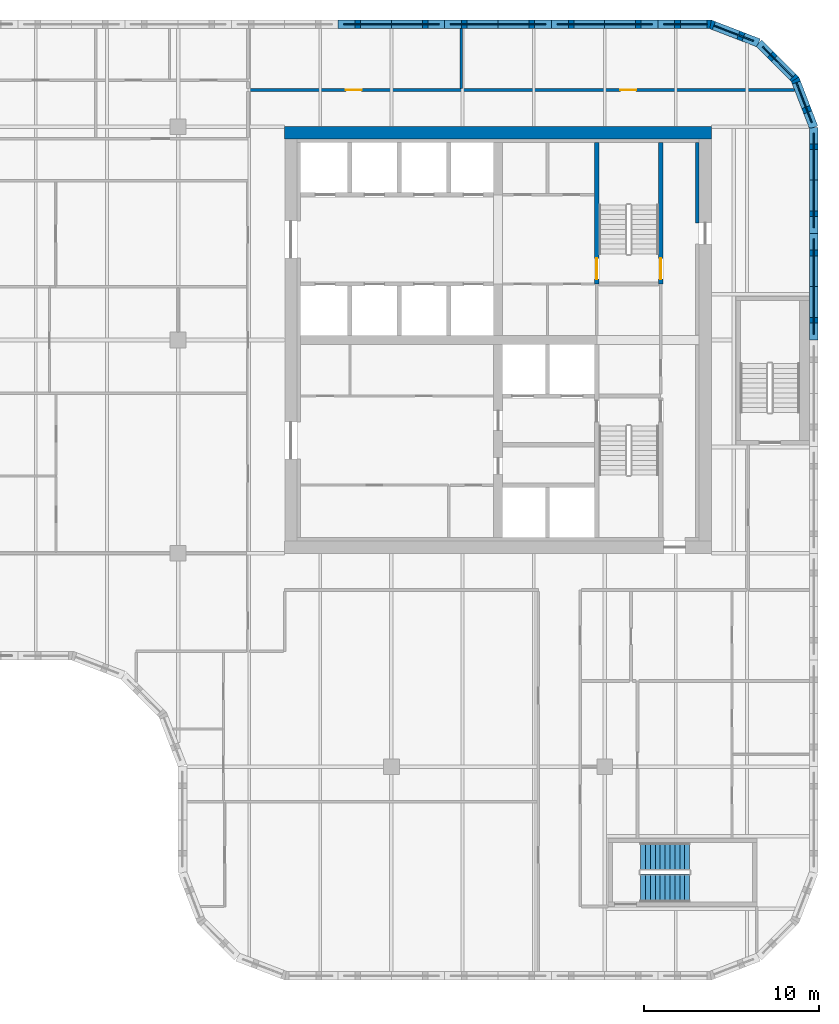
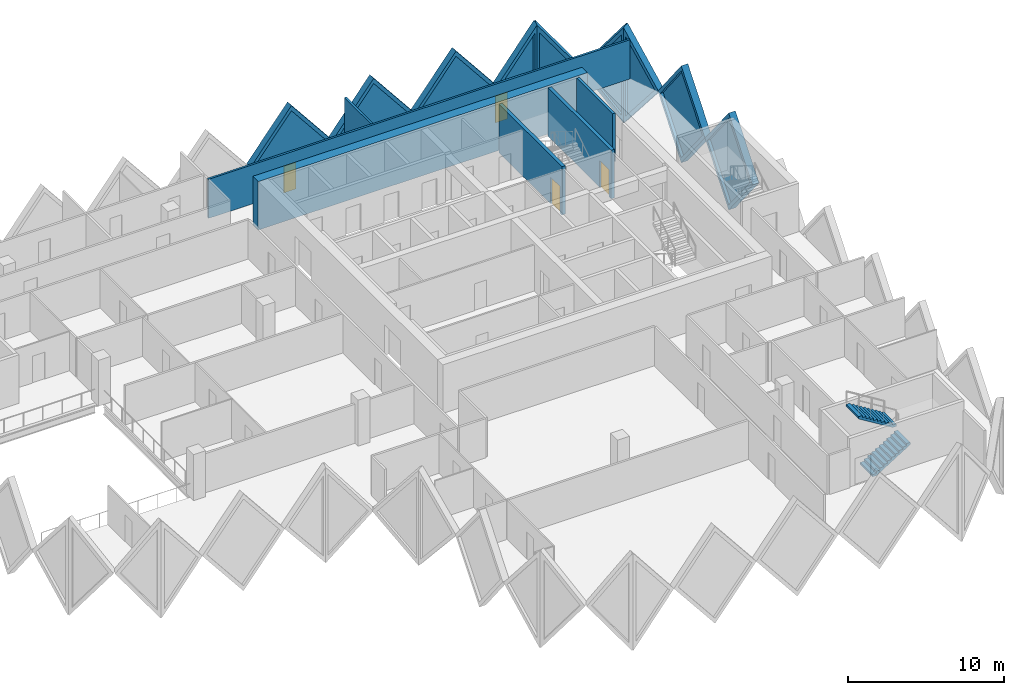
# One storey, part 10 of 12: 15 walls, 9 plates, 4 doors, 2 stair flights, 13 openings, 1 element without a shape of its own.
"""IFC4 building model written with IfcOpenShell, lengths in metres."""

from ifc_helpers import new_model, si_unit, direction, frame, frame_2d, origin, place, context, subcontext, project, spatial, polyline, rectangle, outline, extrude, faceted_brep, source, transform, mapped, material, layer, layer_set, type_object, element, fill, aggregate, save


model = new_model("IFC4")

# Units and contexts
model_context = context("Model", 3, precision=1e-05, world=origin(), true_north=direction((0.0, 1.0)))
body_context = subcontext(model_context, "Body", "Model", "MODEL_VIEW")
ifc_project = project(units=[si_unit("LENGTHUNIT", "METRE"), si_unit("AREAUNIT", "SQUARE_METRE"), si_unit("VOLUMEUNIT", "CUBIC_METRE"), si_unit("PLANEANGLEUNIT", "RADIAN"), si_unit("MASSUNIT", "GRAM", prefix="KILO")], contexts=[model_context])

# Site, building, storey
site_placement = place(None, origin())
site = spatial("IfcSite", under=ifc_project, at=site_placement, CompositionType="ELEMENT")
building_placement = place(site_placement, origin())
building = spatial("IfcBuilding", under=site, at=building_placement, Name="Tessera Gate Towers", CompositionType="ELEMENT")
storey_placement = place(building_placement, frame((0.0, 0.0, 135.39990234375)))
storey = spatial("IfcBuildingStorey", under=building, at=storey_placement, Name="L33", CompositionType="ELEMENT", Elevation=135.39990234375)

# Wall, opening, door
ifc_material_1 = material(Name="Concrete C40/50", Category="concrete")
ifc_layer_1 = layer(ifc_material_1, 0.25)
ifc_layer_set_1 = layer_set([ifc_layer_1], Name="CORE ENCLOSURE WALL 250")
wall_type_1 = type_object("IfcWallType", Name="CORE ENCLOSURE WALL 250", PredefinedType="SOLIDWALL", material=ifc_layer_set_1)
wall_1_placement = place(storey_placement, frame((48.35009765625, 47.89990234375, 0.0), z_axis=(0.0, 0.0, 1.0), x_axis=(0.0, -1.0, 0.0)))
wall_1 = element("IfcWall", 1, at=wall_1_placement, inside=storey, type_object=wall_type_1, Name="L33 shaft and stair enclosure wall", PredefinedType="SOLIDWALL", context=body_context, shape_type="SweptSolid", body=[
    extrude(rectangle(XDim=8.099853515625, YDim=0.25, at=frame_2d((4.0498046875, 0.0))), origin(), (0.0, 0.0, 1.0), 3.800048828125),
])
shared_shape_1 = source(origin(), body_context, "Body", "SweptSolid", [
    extrude(rectangle(XDim=1.199951171875, YDim=2.10009765625, at=frame_2d((0.60009765625, 1.050048828125))), frame((0.0, 0.135009765625, 0.0), z_axis=(0.0, -1.0, 0.0), x_axis=(1.0, 0.0, 0.0)), (0.0, 0.0, 1.0), 0.27001953125),
])
opening_1_placement = place(wall_1_placement, frame((6.625, 0.0, 0.0)))
opening_1 = element("IfcOpeningElement", 2, at=opening_1_placement, cuts=wall_1, Name="Opening SD-ST2-1", PredefinedType="OPENING", context=body_context, shape_type="MappedRepresentation", body=[
    mapped(shared_shape_1, transform((0.0, 0.0, 0.0), scale=1.0)),
])
ifc_material_2 = material(Name="Hollow steel fire door", Category="steel")
door_type_1 = type_object("IfcDoorType", Name="CORE DOOR SD 1200x2100", OperationType="NOTDEFINED", PredefinedType="DOOR", material=ifc_material_2)
shared_shape_2 = source(origin(), body_context, "Body", "SweptSolid", [
    extrude(rectangle(XDim=1.199951171875, YDim=2.10009765625, at=frame_2d((0.60009765625, 1.050048828125))), frame((0.0, 0.02490234375, 0.0), z_axis=(0.0, -1.0, 0.0), x_axis=(1.0, 0.0, 0.0)), (0.0, 0.0, 1.0), 0.050048828125),
])
door_1_placement = place(opening_1_placement, origin())
door_1 = element("IfcDoor", 3, at=door_1_placement, inside=storey, type_object=door_type_1, Name="Stair door", OperationType="SINGLE_SWING_RIGHT", OverallHeight=2.10009765625, OverallWidth=1.199951171875, PredefinedType="DOOR", context=body_context, shape_type="MappedRepresentation", body=[
    mapped(shared_shape_2, transform((0.0, 0.0, 0.0), scale=1.0)),
])
fill(opening_1, door_1)

wall_2_placement = place(storey_placement, frame((52.0, 39.800048828125, 0.0), z_axis=(0.0, 0.0, 1.0), x_axis=(0.0, 1.0, 0.0)))
wall_2 = element("IfcWall", 4, at=wall_2_placement, inside=storey, type_object=wall_type_1, Name="L33 shaft and stair enclosure wall", PredefinedType="SOLIDWALL", context=body_context, shape_type="SweptSolid", body=[
    extrude(rectangle(XDim=8.099853515625, YDim=0.25, at=frame_2d((4.0498046875, 0.0))), origin(), (0.0, 0.0, 1.0), 3.800048828125),
])
opening_2_placement = place(wall_2_placement, frame((0.27490234375, 0.0, 0.0)))
opening_2 = element("IfcOpeningElement", 5, at=opening_2_placement, cuts=wall_2, Name="Opening SD-ST2-2", PredefinedType="OPENING", context=body_context, shape_type="MappedRepresentation", body=[
    mapped(shared_shape_1, transform((0.0, 0.0, 0.0), scale=1.0)),
])
door_2_placement = place(opening_2_placement, origin())
door_2 = element("IfcDoor", 6, at=door_2_placement, inside=storey, type_object=door_type_1, Name="Stair door", OperationType="SINGLE_SWING_LEFT", OverallHeight=2.10009765625, OverallWidth=1.199951171875, PredefinedType="DOOR", context=body_context, shape_type="MappedRepresentation", body=[
    mapped(shared_shape_2, transform((0.0, 0.0, 0.0), scale=1.0)),
])
fill(opening_2, door_2)

# Walls
ifc_material_3 = material(Name="Concrete C60/75", Category="concrete")
ifc_layer_2 = layer(ifc_material_3, 0.699951171875)
ifc_layer_set_2 = layer_set([ifc_layer_2], Name="CORE SHEAR WALL 700 C60/75")
wall_type_2 = type_object("IfcWallType", Name="CORE SHEAR WALL 700 C60/75", PredefinedType="SHEAR", material=ifc_layer_set_2)
wall_3_placement = place(storey_placement, frame((30.5, 48.449951171875, 0.0), z_axis=(0.0, 0.0, 1.0), x_axis=(1.0, 0.0, 0.0)))
element("IfcWall", 7, at=wall_3_placement, inside=storey, type_object=wall_type_2, Name="Core wall N L33", PredefinedType="SHEAR", context=body_context, shape_type="SweptSolid", body=[
    extrude(rectangle(XDim=24.39990234375, YDim=0.699951171875, at=frame_2d((12.199951171875, 0.0))), origin(), (0.0, 0.0, 1.0), 3.800048828125),
])
ifc_material_4 = material(Name="Concrete C60/75", Category="concrete")
ifc_layer_3 = layer(ifc_material_4, 0.199951171875)
ifc_layer_set_3 = layer_set([ifc_layer_3], Name="CORE WALL THICKENING 200")
wall_type_3 = type_object("IfcWallType", Name="CORE WALL THICKENING 200", PredefinedType="SOLIDWALL", material=ifc_layer_set_3)
wall_4_placement = place(storey_placement, frame((54.10009765625, 43.300048828125, 0.0), z_axis=(0.0, 0.0, 1.0), x_axis=(0.0, 1.0, 0.0)))
element("IfcWall", 8, at=wall_4_placement, inside=storey, type_object=wall_type_3, Name="Core wall thickening E L33", PredefinedType="SOLIDWALL", context=body_context, shape_type="SweptSolid", body=[
    extrude(rectangle(XDim=4.599853515625, YDim=0.199951171875, at=frame_2d((2.2998046875, 0.0))), origin(), (0.0, 0.0, 1.0), 3.800048828125),
])

# Wall, openings, doors
ifc_material_5 = material(Name="Gypsum board on steel studs, mineral wool", Category="steel")
ifc_layer_4 = layer(ifc_material_5, 0.14990234375)
ifc_layer_set_4 = layer_set([ifc_layer_4], Name="CORRIDOR WALL 150")
wall_type_4 = type_object("IfcWallType", Name="CORRIDOR WALL 150", PredefinedType="PARTITIONING", material=ifc_layer_set_4)
wall_5_placement = place(storey_placement, frame((28.39990234375, 50.89990234375, 0.0), z_axis=(0.0, 0.0, 1.0), x_axis=(1.0, 0.0, 0.0)))
wall_5 = element("IfcWall", 9, at=wall_5_placement, inside=storey, type_object=wall_type_4, Name="T1-L33-PW-050", PredefinedType="PARTITIONING", context=body_context, shape_type="SweptSolid", body=[
    extrude(rectangle(XDim=31.254150390625, YDim=0.14990234375, at=frame_2d((15.626953125, 0.0))), origin(), (0.0, 0.0, 1.0), 3.067138671875),
])
shared_shape_3 = source(origin(), body_context, "Body", "SweptSolid", [
    extrude(rectangle(XDim=0.89990234375, YDim=2.10009765625, at=frame_2d((0.449951171875, 1.050048828125))), frame((0.0, 0.0849609375, 0.0), z_axis=(0.0, -1.0, 0.0), x_axis=(1.0, 0.0, 0.0)), (0.0, 0.0, 1.0), 0.169921875),
])
opening_3_placement = place(wall_5_placement, frame((5.60009765625, 0.0, 0.0)))
opening_3 = element("IfcOpeningElement", 10, at=opening_3_placement, cuts=wall_5, Name="Opening D890FD60-A12-09", PredefinedType="OPENING", context=body_context, shape_type="MappedRepresentation", body=[
    mapped(shared_shape_3, transform((0.0, 0.0, 0.0), scale=1.0)),
])
opening_4_placement = place(wall_5_placement, frame((21.300048828125, 0.0, 0.0)))
opening_4 = element("IfcOpeningElement", 11, at=opening_4_placement, cuts=wall_5, Name="Opening D890FD60-A12-10", PredefinedType="OPENING", context=body_context, shape_type="MappedRepresentation", body=[
    mapped(shared_shape_3, transform((0.0, 0.0, 0.0), scale=1.0)),
])
ifc_material_6 = material(Name="Timber door leaf in steel frame", Category="steel")
door_type_2 = type_object("IfcDoorType", Name="CORRIDOR DOOR 900 FD60", OperationType="NOTDEFINED", PredefinedType="DOOR", material=ifc_material_6)
shared_shape_4 = source(origin(), body_context, "Body", "SweptSolid", [
    extrude(rectangle(XDim=0.89990234375, YDim=2.10009765625, at=frame_2d((0.449951171875, 1.050048828125))), frame((0.0, 0.02490234375, 0.0), z_axis=(0.0, -1.0, 0.0), x_axis=(1.0, 0.0, 0.0)), (0.0, 0.0, 1.0), 0.050048828125),
])
door_3_placement = place(opening_3_placement, origin())
door_3 = element("IfcDoor", 12, at=door_3_placement, inside=storey, type_object=door_type_2, Name="T1-L33-PD-029", OperationType="SINGLE_SWING_LEFT", OverallHeight=2.10009765625, OverallWidth=0.89990234375, PredefinedType="DOOR", context=body_context, shape_type="MappedRepresentation", body=[
    mapped(shared_shape_4, transform((0.0, 0.0, 0.0), scale=1.0)),
])
fill(opening_3, door_3)
door_4_placement = place(opening_4_placement, origin())
door_4 = element("IfcDoor", 13, at=door_4_placement, inside=storey, type_object=door_type_2, Name="T1-L33-PD-032", OperationType="SINGLE_SWING_LEFT", OverallHeight=2.10009765625, OverallWidth=0.89990234375, PredefinedType="DOOR", context=body_context, shape_type="MappedRepresentation", body=[
    mapped(shared_shape_4, transform((0.0, 0.0, 0.0), scale=1.0)),
])
fill(opening_4, door_4)

# Wall
ifc_material_7 = material(Name="Gypsum board on steel studs, mineral wool", Category="steel")
ifc_layer_5 = layer(ifc_material_7, 0.14990234375)
ifc_layer_set_5 = layer_set([ifc_layer_5], Name="TENANCY WALL 150")
wall_type_5 = type_object("IfcWallType", Name="TENANCY WALL 150", PredefinedType="PARTITIONING", material=ifc_layer_set_5)
wall_6_placement = place(storey_placement, frame((40.60009765625, 50.97607421875, 0.0), z_axis=(0.0, 0.0, 1.0), x_axis=(0.0, 1.0, 0.0)))
element("IfcWall", 14, at=wall_6_placement, inside=storey, type_object=wall_type_5, Name="T1-L33-PW-052", PredefinedType="PARTITIONING", context=body_context, shape_type="SweptSolid", body=[
    extrude(rectangle(XDim=3.423828125, YDim=0.14990234375, at=frame_2d((1.7119140625, 0.0))), origin(), (0.0, 0.0, 1.0), 3.067138671875),
])

# Wall, opening, plate
ifc_material_8 = material(Name="Precast concrete C60/75 white", Category="concrete")
ifc_layer_6 = layer(ifc_material_8, 0.5)
ifc_layer_set_6 = layer_set([ifc_layer_6], Name="TS3 corner tessera")
wall_type_6 = type_object("IfcWallType", Name="TS3 corner tessera", PredefinedType="SOLIDWALL", material=ifc_layer_set_6)
shared_shape_5 = source(origin(), body_context, "Body", "Brep", [
    faceted_brep([(0.046630859375, -0.25, 0.0), (3.050048828125, -0.25, 3.7998046875), (0.046630859375, -0.25, 7.599853515625), (0.0, -0.25, 7.539794921875), (0.0, -0.25, 0.06005859375), (0.09326171875, 0.25, 7.541015625), (3.050048828125, 0.25, 3.7998046875), (0.09326171875, 0.25, 0.058837890625), (0.046630859375, 0.0, 0.0), (0.046630859375, 0.0, 7.599853515625)], [[[0, 1, 2, 3, 4]], [[5, 6, 7]], [[7, 6, 1, 0, 8]], [[6, 5, 9, 2, 1]], [[3, 2, 9]], [[8, 0, 4]], [[7, 8, 4, 3, 9, 5]]]),
])
wall_7_placement = place(storey_placement, frame((54.900146484375, 54.64990234375, -3.7998046875), z_axis=(0.0, 0.0, 1.0), x_axis=(-1.0, 0.0, 0.0)))
wall_7 = element("IfcWall", 15, at=wall_7_placement, inside=storey, type_object=wall_type_6, Name="Precast corner tessera T1 TS3-0754", PredefinedType="SOLIDWALL", context=body_context, shape_type="MappedRepresentation", body=[
    mapped(shared_shape_5, transform((0.0, 0.0, 0.0), scale=1.0)),
])
shared_shape_6 = source(origin(), body_context, "Body", "SweptSolid", [
    extrude(outline(polyline([(0.24658203125, 0.656005859375), (2.7314453125, 3.7998046875), (0.24658203125, 6.943603515625), (0.24658203125, 0.656005859375)])), frame((0.0, 0.260009765625, 0.0), z_axis=(0.0, -1.0, 0.0), x_axis=(1.0, 0.0, 0.0)), (0.0, 0.0, 1.0), 0.52001953125),
])
opening_5_placement = place(wall_7_placement, origin())
opening_5 = element("IfcOpeningElement", 16, at=opening_5_placement, cuts=wall_7, Name="Opening T1-PL2-1147", PredefinedType="OPENING", context=body_context, shape_type="MappedRepresentation", body=[
    mapped(shared_shape_6, transform((0.0, 0.0, 0.0), scale=1.0)),
])
ifc_material_9 = material(Name="Low-e laminated glass", Category="glass")
ifc_layer_7 = layer(ifc_material_9, 0.06005859375)
ifc_layer_set_7 = layer_set([ifc_layer_7], Name="PL2 rhombic pane")
plate_type = type_object("IfcPlateType", Name="PL2 rhombic pane", PredefinedType="SHEET", material=ifc_layer_set_7)
shared_shape_7 = source(origin(), body_context, "Body", "SweptSolid", [
    extrude(outline(polyline([(0.24658203125, 0.656005859375), (2.7314453125, 3.7998046875), (0.24658203125, 6.943603515625), (0.24658203125, 0.656005859375)])), frame((0.0, 0.030029296875, 0.0), z_axis=(0.0, -1.0, 0.0), x_axis=(1.0, 0.0, 0.0)), (0.0, 0.0, 1.0), 0.06005859375),
])
plate_1_placement = place(opening_5_placement, origin())
plate_1 = element("IfcPlate", 17, at=plate_1_placement, inside=storey, type_object=plate_type, Name="Glass pane T1 PL2-1147", PredefinedType="SHEET", context=body_context, shape_type="MappedRepresentation", body=[
    mapped(shared_shape_7, transform((0.0, 0.0, 0.0), scale=1.0)),
])
fill(opening_5, plate_1)

ifc_material_10 = material(Name="Precast concrete C60/75 white", Category="concrete")
ifc_layer_8 = layer(ifc_material_10, 0.5)
ifc_layer_set_8 = layer_set([ifc_layer_8], Name="TS1 tessera")
wall_type_7 = type_object("IfcWallType", Name="TS1 tessera", PredefinedType="SOLIDWALL", material=ifc_layer_set_8)
shared_shape_8 = source(origin(), body_context, "Body", "Brep", [
    faceted_brep([(3.050048828125, -0.25, 0.0), (6.099853515625, -0.25, 3.799560546875), (6.099853515625, -0.25, 3.800048828125), (3.050048828125, -0.25, 7.599853515625), (0.0, -0.25, 3.7998046875), (0.0, 0.25, 3.7998046875), (3.050048828125, 0.25, 7.599853515625), (6.099853515625, 0.25, 3.800048828125), (6.099853515625, 0.25, 3.799560546875), (3.050048828125, 0.25, 0.0)], [[[0, 1, 2, 3, 4]], [[5, 6, 7, 8, 9]], [[9, 8, 1, 0]], [[7, 6, 3, 2]], [[6, 5, 4, 3]], [[5, 9, 0, 4]], [[1, 8, 7, 2]]]),
])
wall_8_placement = place(storey_placement, frame((60.75, 36.60009765625, -3.7998046875), z_axis=(0.0, 0.0, 1.0), x_axis=(0.0, 1.0, 0.0)))
wall_8 = element("IfcWall", 18, at=wall_8_placement, inside=storey, type_object=wall_type_7, Name="Precast tessera T1 TS1-0560", PredefinedType="SOLIDWALL", context=body_context, shape_type="MappedRepresentation", body=[
    mapped(shared_shape_8, transform((0.0, 0.0, 0.0), scale=1.0)),
])
shared_shape_9 = source(origin(), body_context, "Body", "SweptSolid", [
    extrude(outline(polyline([(3.050048828125, 0.3994140625), (5.779541015625, 3.7998046875), (3.050048828125, 7.200439453125), (0.320556640625, 3.7998046875), (3.050048828125, 0.3994140625)])), frame((0.0, 0.260009765625, 0.0), z_axis=(0.0, -1.0, 0.0), x_axis=(1.0, 0.0, 0.0)), (0.0, 0.0, 1.0), 0.52001953125),
])
opening_6_placement = place(wall_8_placement, origin())
opening_6 = element("IfcOpeningElement", 19, at=opening_6_placement, cuts=wall_8, Name="Opening T1-PL2-1142", PredefinedType="OPENING", context=body_context, shape_type="MappedRepresentation", body=[
    mapped(shared_shape_9, transform((0.0, 0.0, 0.0), scale=1.0)),
])
shared_shape_10 = source(origin(), body_context, "Body", "SweptSolid", [
    extrude(outline(polyline([(3.050048828125, 0.3994140625), (5.779541015625, 3.7998046875), (3.050048828125, 7.200439453125), (0.320556640625, 3.7998046875), (3.050048828125, 0.3994140625)])), frame((0.0, 0.030029296875, 0.0), z_axis=(0.0, -1.0, 0.0), x_axis=(1.0, 0.0, 0.0)), (0.0, 0.0, 1.0), 0.06005859375),
])
plate_2_placement = place(opening_6_placement, origin())
plate_2 = element("IfcPlate", 20, at=plate_2_placement, inside=storey, type_object=plate_type, Name="Glass pane T1 PL2-1142", PredefinedType="SHEET", context=body_context, shape_type="MappedRepresentation", body=[
    mapped(shared_shape_10, transform((0.0, 0.0, 0.0), scale=1.0)),
])
fill(opening_6, plate_2)

wall_9_placement = place(storey_placement, frame((39.64990234375, 54.64990234375, -3.7998046875), z_axis=(0.0, 0.0, 1.0), x_axis=(-1.0, 0.0, 0.0)))
wall_9 = element("IfcWall", 21, at=wall_9_placement, inside=storey, type_object=wall_type_7, Name="Precast tessera T1 TS1-0564", PredefinedType="SOLIDWALL", context=body_context, shape_type="MappedRepresentation", body=[
    mapped(shared_shape_8, transform((0.0, 0.0, 0.0), scale=1.0)),
])
opening_7_placement = place(wall_9_placement, origin())
opening_7 = element("IfcOpeningElement", 22, at=opening_7_placement, cuts=wall_9, Name="Opening T1-PL2-1150", PredefinedType="OPENING", context=body_context, shape_type="MappedRepresentation", body=[
    mapped(shared_shape_9, transform((0.0, 0.0, 0.0), scale=1.0)),
])
plate_3_placement = place(opening_7_placement, origin())
plate_3 = element("IfcPlate", 23, at=plate_3_placement, inside=storey, type_object=plate_type, Name="Glass pane T1 PL2-1150", PredefinedType="SHEET", context=body_context, shape_type="MappedRepresentation", body=[
    mapped(shared_shape_10, transform((0.0, 0.0, 0.0), scale=1.0)),
])
fill(opening_7, plate_3)

shared_shape_11 = source(origin(), body_context, "Body", "SweptSolid", [
    extrude(outline(polyline([(3.050048828125, 0.0), (6.10009765625, 3.7998046875), (3.050048828125, 7.599853515625), (0.0, 3.7998046875), (3.050048828125, 0.0)])), frame((0.0, 0.25, 0.0), z_axis=(0.0, -1.0, 0.0), x_axis=(1.0, 0.0, 0.0)), (0.0, 0.0, 1.0), 0.5),
])
wall_10_placement = place(storey_placement, frame((51.85009765625, 54.64990234375, -3.7998046875), z_axis=(0.0, 0.0, 1.0), x_axis=(-1.0, 0.0, 0.0)))
wall_10 = element("IfcWall", 24, at=wall_10_placement, inside=storey, type_object=wall_type_7, Name="Precast tessera T1 TS1-0562", PredefinedType="SOLIDWALL", context=body_context, shape_type="MappedRepresentation", body=[
    mapped(shared_shape_11, transform((0.0, 0.0, 0.0), scale=1.0)),
])
opening_8_placement = place(wall_10_placement, origin())
opening_8 = element("IfcOpeningElement", 25, at=opening_8_placement, cuts=wall_10, Name="Opening T1-PL2-1148", PredefinedType="OPENING", context=body_context, shape_type="MappedRepresentation", body=[
    mapped(shared_shape_9, transform((0.0, 0.0, 0.0), scale=1.0)),
])
plate_4_placement = place(opening_8_placement, origin())
plate_4 = element("IfcPlate", 26, at=plate_4_placement, inside=storey, type_object=plate_type, Name="Glass pane T1 PL2-1148", PredefinedType="SHEET", context=body_context, shape_type="MappedRepresentation", body=[
    mapped(shared_shape_10, transform((0.0, 0.0, 0.0), scale=1.0)),
])
fill(opening_8, plate_4)

wall_11_placement = place(storey_placement, frame((45.75, 54.64990234375, -3.7998046875), z_axis=(0.0, 0.0, 1.0), x_axis=(-1.0, 0.0, 0.0)))
wall_11 = element("IfcWall", 27, at=wall_11_placement, inside=storey, type_object=wall_type_7, Name="Precast tessera T1 TS1-0563", PredefinedType="SOLIDWALL", context=body_context, shape_type="MappedRepresentation", body=[
    mapped(shared_shape_11, transform((0.0, 0.0, 0.0), scale=1.0)),
])
opening_9_placement = place(wall_11_placement, origin())
opening_9 = element("IfcOpeningElement", 28, at=opening_9_placement, cuts=wall_11, Name="Opening T1-PL2-1149", PredefinedType="OPENING", context=body_context, shape_type="MappedRepresentation", body=[
    mapped(shared_shape_9, transform((0.0, 0.0, 0.0), scale=1.0)),
])
plate_5_placement = place(opening_9_placement, origin())
plate_5 = element("IfcPlate", 29, at=plate_5_placement, inside=storey, type_object=plate_type, Name="Glass pane T1 PL2-1149", PredefinedType="SHEET", context=body_context, shape_type="MappedRepresentation", body=[
    mapped(shared_shape_10, transform((0.0, 0.0, 0.0), scale=1.0)),
])
fill(opening_9, plate_5)

shared_shape_12 = source(origin(), body_context, "Body", "Brep", [
    faceted_brep([(3.050048828125, -0.25, 0.0), (6.053466796875, -0.25, 3.7998046875), (3.050048828125, -0.25, 7.599853515625), (0.0, -0.25, 3.7998046875), (0.0, 0.25, 3.7998046875), (3.050048828125, 0.25, 7.599853515625), (6.0068359375, 0.25, 3.858642578125), (6.0068359375, 0.25, 3.740966796875), (3.050048828125, 0.25, 0.0), (6.053466796875, 0.0, 3.7998046875)], [[[0, 1, 2, 3]], [[4, 5, 6, 7, 8]], [[8, 7, 9, 1, 0]], [[6, 5, 2, 1, 9]], [[5, 4, 3, 2]], [[4, 8, 0, 3]], [[9, 7, 6]]]),
])
wall_12_placement = place(storey_placement, frame((60.75, 42.699951171875, -3.7998046875), z_axis=(0.0, 0.0, 1.0), x_axis=(0.0, 1.0, 0.0)))
wall_12 = element("IfcWall", 30, at=wall_12_placement, inside=storey, type_object=wall_type_7, Name="Precast tessera T1 TS1-0561", PredefinedType="SOLIDWALL", context=body_context, shape_type="MappedRepresentation", body=[
    mapped(shared_shape_12, transform((0.0, 0.0, 0.0), scale=1.0)),
])
shared_shape_13 = source(origin(), body_context, "Body", "SweptSolid", [
    extrude(outline(polyline([(3.048583984375, 0.401123046875), (5.73486328125, 3.7998046875), (3.048583984375, 7.19873046875), (0.320556640625, 3.7998046875), (3.048583984375, 0.401123046875)])), frame((0.0, 0.260009765625, 0.0), z_axis=(0.0, -1.0, 0.0), x_axis=(1.0, 0.0, 0.0)), (0.0, 0.0, 1.0), 0.52001953125),
])
opening_10_placement = place(wall_12_placement, origin())
opening_10 = element("IfcOpeningElement", 31, at=opening_10_placement, cuts=wall_12, Name="Opening T1-PL2-1143", PredefinedType="OPENING", context=body_context, shape_type="MappedRepresentation", body=[
    mapped(shared_shape_13, transform((0.0, 0.0, 0.0), scale=1.0)),
])
shared_shape_14 = source(origin(), body_context, "Body", "SweptSolid", [
    extrude(outline(polyline([(3.048583984375, 0.401123046875), (5.73486328125, 3.7998046875), (3.048583984375, 7.19873046875), (0.320556640625, 3.7998046875), (3.048583984375, 0.401123046875)])), frame((0.0, 0.030029296875, 0.0), z_axis=(0.0, -1.0, 0.0), x_axis=(1.0, 0.0, 0.0)), (0.0, 0.0, 1.0), 0.06005859375),
])
plate_6_placement = place(opening_10_placement, origin())
plate_6 = element("IfcPlate", 32, at=plate_6_placement, inside=storey, type_object=plate_type, Name="Glass pane T1 PL2-1143", PredefinedType="SHEET", context=body_context, shape_type="MappedRepresentation", body=[
    mapped(shared_shape_14, transform((0.0, 0.0, 0.0), scale=1.0)),
])
fill(opening_10, plate_6)

shared_shape_15 = source(origin(), body_context, "Body", "Brep", [
    faceted_brep([(2.950439453125, -0.25, 0.0), (3.00341796875, -0.25, 0.068359375), (3.00341796875, -0.25, 7.531494140625), (2.950439453125, -0.25, 7.599853515625), (0.0, -0.25, 3.7998046875), (0.046630859375, 0.25, 3.85986328125), (2.897705078125, 0.25, 7.53173828125), (2.897705078125, 0.25, 0.068115234375), (0.046630859375, 0.25, 3.73974609375), (2.950439453125, 0.00048828125, 0.0), (2.950439453125, 0.00048828125, 7.599853515625), (0.0, 0.0, 3.7998046875)], [[[0, 1, 2, 3, 4]], [[5, 6, 7, 8]], [[1, 0, 9]], [[10, 3, 2]], [[6, 5, 11, 4, 3, 10]], [[8, 7, 9, 0, 4, 11]], [[8, 11, 5]], [[1, 9, 7, 6, 10, 2]]]),
])
wall_13_placement = place(storey_placement, frame((60.75, 48.75341796875, -3.7998046875), z_axis=(0.0, 0.0, 1.0), x_axis=(-0.35992665181, 0.932980602862, 0.0)))
wall_13 = element("IfcWall", 33, at=wall_13_placement, inside=storey, type_object=wall_type_6, Name="Precast corner tessera T1 TS3-0751", PredefinedType="SOLIDWALL", context=body_context, shape_type="MappedRepresentation", body=[
    mapped(shared_shape_15, transform((0.0, 0.0, 0.0), scale=1.0)),
])
shared_shape_16 = source(origin(), body_context, "Body", "SweptSolid", [
    extrude(outline(polyline([(2.75048828125, 6.9345703125), (0.31640625, 3.7998046875), (2.75048828125, 0.6650390625), (2.75048828125, 6.9345703125)])), frame((0.0, 0.260009765625, 0.0), z_axis=(0.0, -1.0, 0.0), x_axis=(1.0, 0.0, 0.0)), (0.0, 0.0, 1.0), 0.52001953125),
])
opening_11_placement = place(wall_13_placement, origin())
opening_11 = element("IfcOpeningElement", 34, at=opening_11_placement, cuts=wall_13, Name="Opening T1-PL2-1144", PredefinedType="OPENING", context=body_context, shape_type="MappedRepresentation", body=[
    mapped(shared_shape_16, transform((0.0, 0.0, 0.0), scale=1.0)),
])
shared_shape_17 = source(origin(), body_context, "Body", "SweptSolid", [
    extrude(outline(polyline([(2.75048828125, 6.9345703125), (0.31640625, 3.7998046875), (2.75048828125, 0.6650390625), (2.75048828125, 6.9345703125)])), frame((0.0, 0.030029296875, 0.0), z_axis=(0.0, -1.0, 0.0), x_axis=(1.0, 0.0, 0.0)), (0.0, 0.0, 1.0), 0.06005859375),
])
plate_7_placement = place(opening_11_placement, origin())
plate_7 = element("IfcPlate", 35, at=plate_7_placement, inside=storey, type_object=plate_type, Name="Glass pane T1 PL2-1144", PredefinedType="SHEET", context=body_context, shape_type="MappedRepresentation", body=[
    mapped(shared_shape_17, transform((0.0, 0.0, 0.0), scale=1.0)),
])
fill(opening_11, plate_7)

shared_shape_18 = source(origin(), body_context, "Body", "Brep", [
    faceted_brep([(0.052978515625, -0.25, 0.0), (2.9970703125, -0.25, 3.7998046875), (0.052978515625, -0.25, 7.599853515625), (0.0, -0.25, 7.53173828125), (0.0, -0.25, 0.068115234375), (0.10595703125, 0.25, 7.531494140625), (2.944091796875, 0.25, 3.867919921875), (2.944091796875, 0.25, 3.731689453125), (0.10595703125, 0.25, 0.068359375), (2.9970703125, 0.000244140625, 3.7998046875), (0.052978515625, 0.0, 0.0), (0.052978515625, 0.0, 7.599853515625)], [[[0, 1, 2, 3, 4]], [[5, 6, 7, 8]], [[8, 7, 9, 1, 0, 10]], [[6, 5, 11, 2, 1, 9]], [[3, 2, 11]], [[10, 0, 4]], [[8, 10, 4, 3, 11, 5]], [[9, 7, 6]]]),
])
wall_14_placement = place(storey_placement, frame((59.7255859375, 51.46875, -3.7998046875), z_axis=(0.0, 0.0, 1.0), x_axis=(-0.707106781187, 0.707106781187, 0.0)))
wall_14 = element("IfcWall", 36, at=wall_14_placement, inside=storey, type_object=wall_type_6, Name="Precast corner tessera T1 TS3-0752", PredefinedType="SOLIDWALL", context=body_context, shape_type="MappedRepresentation", body=[
    mapped(shared_shape_18, transform((0.0, 0.0, 0.0), scale=1.0)),
])
shared_shape_19 = source(origin(), body_context, "Body", "SweptSolid", [
    extrude(outline(polyline([(0.2529296875, 0.666259765625), (2.680908203125, 3.7998046875), (0.2529296875, 6.93359375), (0.2529296875, 0.666259765625)])), frame((0.0, 0.260009765625, 0.0), z_axis=(0.0, -1.0, 0.0), x_axis=(1.0, 0.0, 0.0)), (0.0, 0.0, 1.0), 0.52001953125),
])
opening_12_placement = place(wall_14_placement, origin())
opening_12 = element("IfcOpeningElement", 37, at=opening_12_placement, cuts=wall_14, Name="Opening T1-PL2-1145", PredefinedType="OPENING", context=body_context, shape_type="MappedRepresentation", body=[
    mapped(shared_shape_19, transform((0.0, 0.0, 0.0), scale=1.0)),
])
shared_shape_20 = source(origin(), body_context, "Body", "SweptSolid", [
    extrude(outline(polyline([(0.2529296875, 0.666259765625), (2.680908203125, 3.7998046875), (0.2529296875, 6.93359375), (0.2529296875, 0.666259765625)])), frame((0.0, 0.030029296875, 0.0), z_axis=(0.0, -1.0, 0.0), x_axis=(1.0, 0.0, 0.0)), (0.0, 0.0, 1.0), 0.06005859375),
])
plate_8_placement = place(opening_12_placement, origin())
plate_8 = element("IfcPlate", 38, at=plate_8_placement, inside=storey, type_object=plate_type, Name="Glass pane T1 PL2-1145", PredefinedType="SHEET", context=body_context, shape_type="MappedRepresentation", body=[
    mapped(shared_shape_20, transform((0.0, 0.0, 0.0), scale=1.0)),
])
fill(opening_12, plate_8)

shared_shape_21 = source(origin(), body_context, "Body", "Brep", [
    faceted_brep([(2.950439453125, -0.25, 0.0), (2.9970703125, -0.25, 0.05908203125), (2.9970703125, -0.25, 7.540771484375), (2.950439453125, -0.25, 7.599853515625), (0.0, -0.25, 3.7998046875), (0.052978515625, 0.25, 3.867919921875), (2.904052734375, 0.25, 7.5400390625), (2.904052734375, 0.25, 0.059814453125), (0.052978515625, 0.25, 3.731689453125), (2.950439453125, 0.00048828125, 0.0), (2.950439453125, 0.00048828125, 7.599853515625), (0.0, 0.0, 3.7998046875)], [[[0, 1, 2, 3, 4]], [[5, 6, 7, 8]], [[1, 0, 9]], [[10, 3, 2]], [[6, 5, 11, 4, 3, 10]], [[8, 7, 9, 0, 4, 11]], [[8, 11, 5]], [[1, 9, 7, 6, 10, 2]]]),
])
wall_15_placement = place(storey_placement, frame((57.606201171875, 53.588134765625, -3.7998046875), z_axis=(0.0, 0.0, 1.0), x_axis=(-0.932990326376, 0.359901446078, 0.0)))
wall_15 = element("IfcWall", 39, at=wall_15_placement, inside=storey, type_object=wall_type_6, Name="Precast corner tessera T1 TS3-0753", PredefinedType="SOLIDWALL", context=body_context, shape_type="MappedRepresentation", body=[
    mapped(shared_shape_21, transform((0.0, 0.0, 0.0), scale=1.0)),
])
opening_13_placement = place(wall_15_placement, origin())
opening_13 = element("IfcOpeningElement", 40, at=opening_13_placement, cuts=wall_15, Name="Opening T1-PL2-1146", PredefinedType="OPENING", context=body_context, shape_type="MappedRepresentation", body=[
    mapped(shared_shape_16, transform((0.0, 0.0, 0.0), scale=1.0)),
])
plate_9_placement = place(opening_13_placement, origin())
plate_9 = element("IfcPlate", 41, at=plate_9_placement, inside=storey, type_object=plate_type, Name="Glass pane T1 PL2-1146", PredefinedType="SHEET", context=body_context, shape_type="MappedRepresentation", body=[
    mapped(shared_shape_17, transform((0.0, 0.0, 0.0), scale=1.0)),
])
fill(opening_13, plate_9)

# Stair, stair flights
ifc_material_11 = material(Name="Concrete C40/50", Category="concrete")
stair_type = type_object("IfcStairType", Name="EXIT STAIR ST4 1600", PredefinedType="HALF_TURN_STAIR", material=ifc_material_11)
stair_placement = place(storey_placement, origin())
stair = element("IfcStair", 42, at=stair_placement, inside=storey, type_object=stair_type, Name="L33 South Exit Stair ST4", PredefinedType="HALF_TURN_STAIR")
ifc_material_12 = material(Name="Concrete C40/50", Category="concrete")
stair_flight_type = type_object("IfcStairFlightType", Name="EXIT STAIR FLIGHT ST4 1600", PredefinedType="STRAIGHT", material=ifc_material_12)
stair_flight_1_placement = place(storey_placement, frame((50.85009765625, 5.25, 0.0), z_axis=(0.0, 0.0, 1.0), x_axis=(1.0, 0.0, 0.0)))
stair_flight_1 = element("IfcStairFlight", 43, at=stair_flight_1_placement, type_object=stair_flight_type, Name="ST4 flight 1", NumberOfRisers=11, NumberOfTreads=10, PredefinedType="STRAIGHT", RiserHeight=0.172727273, TreadLength=0.28, context=body_context, shape_type="SweptSolid", body=[
    extrude(outline(polyline([(0.0, 0.0), (0.0, 0.172607421875), (0.280029296875, 0.172607421875), (0.280029296875, 0.345458984375), (0.56005859375, 0.345458984375), (0.56005859375, 0.51806640625), (0.840087890625, 0.51806640625), (0.840087890625, 0.69091796875), (1.1201171875, 0.69091796875), (1.1201171875, 0.863525390625), (1.39990234375, 0.863525390625), (1.39990234375, 1.036376953125), (1.679931640625, 1.036376953125), (1.679931640625, 1.208984375), (1.9599609375, 1.208984375), (1.9599609375, 1.3818359375), (2.239990234375, 1.3818359375), (2.239990234375, 1.554443359375), (2.52001953125, 1.554443359375), (2.52001953125, 1.727294921875), (2.800048828125, 1.727294921875), (2.800048828125, 1.89990234375), (2.800048828125, 1.551025390625), (0.285400390625, 0.0), (0.0, 0.0)])), frame((0.0, 0.800048828125, 0.0), z_axis=(0.0, -1.0, 0.0), x_axis=(1.0, 0.0, 0.0)), (0.0, 0.0, 1.0), 1.60009765625),
])
stair_flight_2_placement = place(storey_placement, frame((53.64990234375, 7.050048828125, 1.900146484375), z_axis=(0.0, 0.0, 1.0), x_axis=(-1.0, 0.0, 0.0)))
stair_flight_2 = element("IfcStairFlight", 44, at=stair_flight_2_placement, type_object=stair_flight_type, Name="ST4 flight 2", NumberOfRisers=11, NumberOfTreads=10, PredefinedType="STRAIGHT", RiserHeight=0.172727273, TreadLength=0.28, context=body_context, shape_type="SweptSolid", body=[
    extrude(outline(polyline([(0.0, 0.0), (0.0, 0.172607421875), (0.280029296875, 0.172607421875), (0.280029296875, 0.345458984375), (0.56005859375, 0.345458984375), (0.56005859375, 0.51806640625), (0.840087890625, 0.51806640625), (0.840087890625, 0.69091796875), (1.1201171875, 0.69091796875), (1.1201171875, 0.863525390625), (1.39990234375, 0.863525390625), (1.39990234375, 1.036376953125), (1.679931640625, 1.036376953125), (1.679931640625, 1.208984375), (1.9599609375, 1.208984375), (1.9599609375, 1.3818359375), (2.239990234375, 1.3818359375), (2.239990234375, 1.554443359375), (2.52001953125, 1.554443359375), (2.52001953125, 1.727294921875), (2.800048828125, 1.727294921875), (2.800048828125, 1.89990234375), (2.800048828125, 1.551025390625), (0.285400390625, 0.0), (0.0, 0.0)])), frame((0.0, 0.800048828125, 0.0), z_axis=(0.0, -1.0, 0.0), x_axis=(1.0, 0.0, 0.0)), (0.0, 0.0, 1.0), 1.60009765625),
])
aggregate(stair, [stair_flight_1, stair_flight_2])

save(model, "model.ifc")
